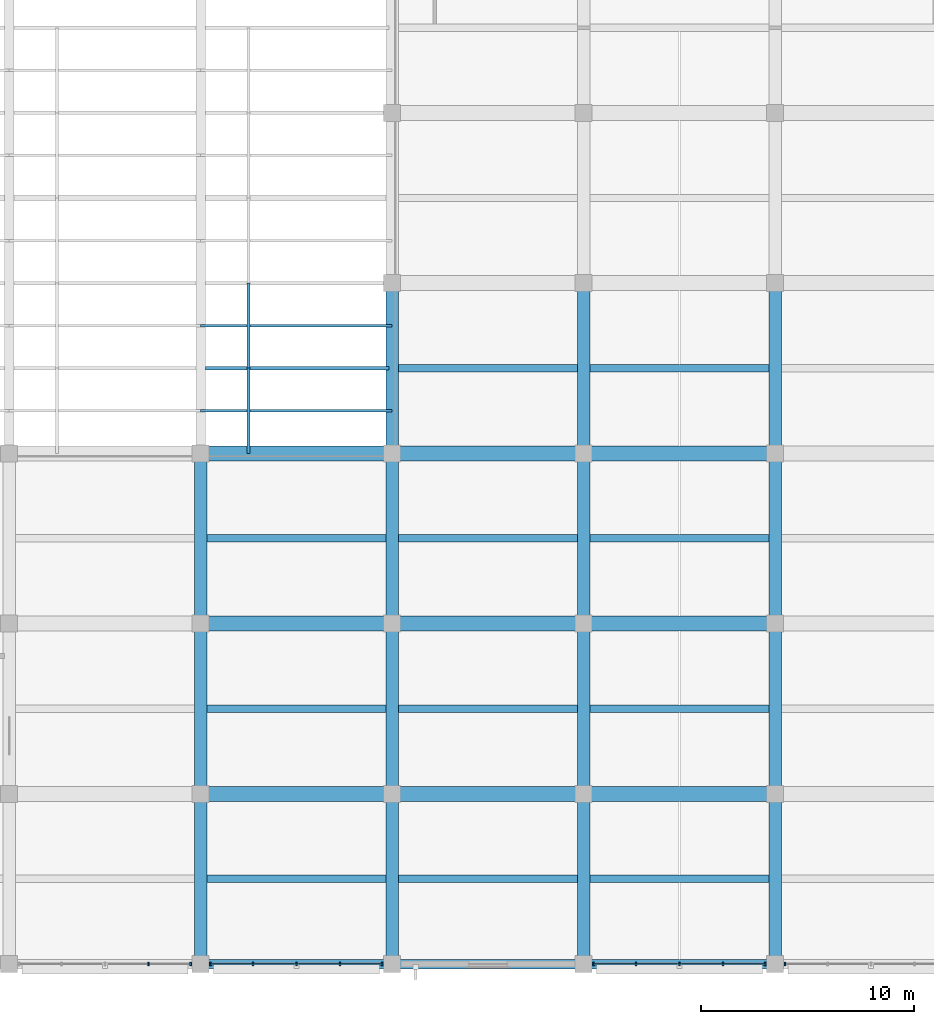
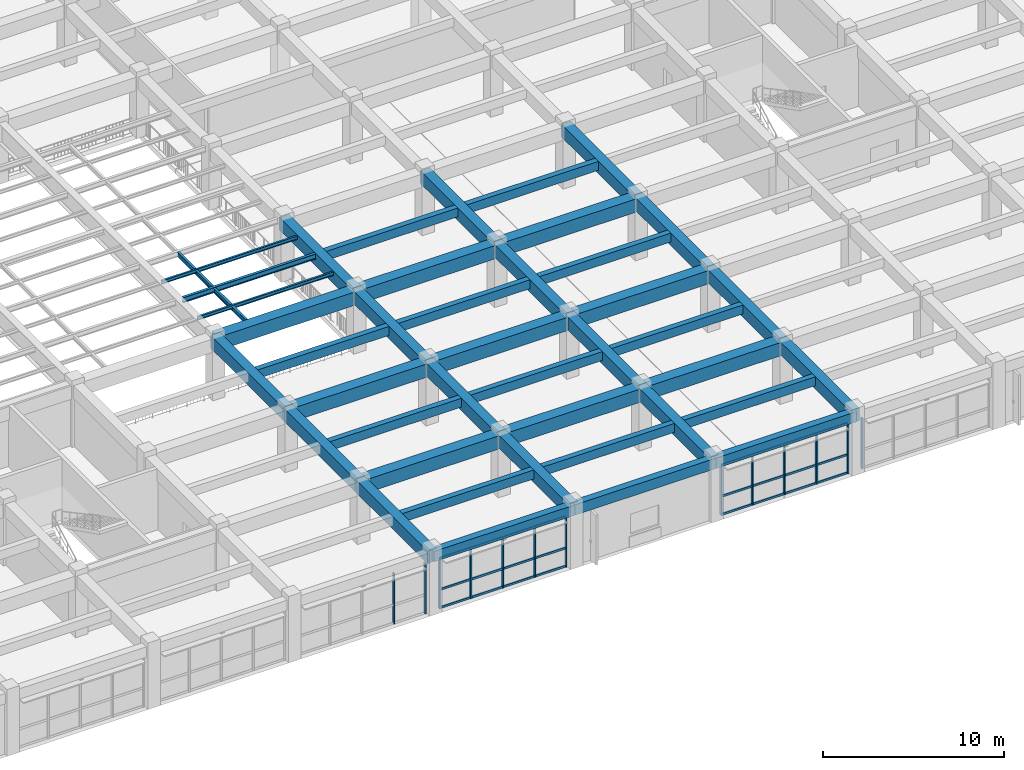
# One storey, part 11 of 50: 39 beams, 23 members, 4 elements without a shape of their own.
"""IFC4 building model written with IfcOpenShell, lengths in metres."""

from ifc_helpers import new_model, si_unit, direction, frame, origin, origin_2d, place, context, subcontext, project, spatial, rectangle, i_section, extrude, material, material_profile, profile_set, type_object, element, aggregate, save


model = new_model("IFC4")

# Units and contexts
model_context = context("Model", 3, precision=1e-05, world=origin(), true_north=direction((0.0, 1.0)))
body_context = subcontext(model_context, "Body", "Model", "MODEL_VIEW")
ifc_project = project(units=[si_unit("LENGTHUNIT", "METRE"), si_unit("AREAUNIT", "SQUARE_METRE"), si_unit("VOLUMEUNIT", "CUBIC_METRE"), si_unit("PLANEANGLEUNIT", "RADIAN"), si_unit("MASSUNIT", "GRAM", prefix="KILO")], contexts=[model_context])

# Site, building, storey
site_placement = place(None, origin())
site = spatial("IfcSite", under=ifc_project, at=site_placement, CompositionType="ELEMENT")
building_placement = place(site_placement, origin())
building = spatial("IfcBuilding", under=site, at=building_placement, Name="Zaverband Oceanarium and Marine Research Institute", CompositionType="ELEMENT")
storey_placement = place(building_placement, frame((0.0, 0.0, 9.0)))
storey = spatial("IfcBuildingStorey", under=building, at=storey_placement, Name="L02", CompositionType="ELEMENT", Elevation=9.0)

# Beams
ifc_material_1 = material(Name="Concrete C40/50", Category="concrete")
ifc_material_profile_1 = material_profile(ifc_material_1, rectangle(XDim=0.60009765625, YDim=0.85009765625, at=origin_2d()), Name="RC600x850")
ifc_profile_set_1 = profile_set([ifc_material_profile_1], Name="Concrete C40/50")
beam_type_1 = type_object("IfcBeamType", Name="BM-600x850", PredefinedType="BEAM", material=ifc_profile_set_1)
for number, where, z_axis, x_axis, name in (
    (1, (99.0, 0.0, 3.715087890625), (0.0, 1.0, 0.0), (-1.0, 0.0, 0.0), "Primary floor girder BM-600x850"),
    (2, (99.0, 8.0, 3.715087890625), (0.0, 1.0, 0.0), (-1.0, 0.0, 0.0), "Primary floor girder BM-600x850"),
    (3, (99.0, 16.0, 3.715087890625), (0.0, 1.0, 0.0), (-1.0, 0.0, 0.0), "Primary floor girder BM-600x850"),
    (4, (108.0, 0.0, 3.715087890625), (0.0, 1.0, 0.0), (-1.0, 0.0, 0.0), "Primary floor girder BM-600x850"),
    (5, (108.0, 8.0, 3.715087890625), (0.0, 1.0, 0.0), (-1.0, 0.0, 0.0), "Primary floor girder BM-600x850"),
    (6, (108.0, 16.0, 3.715087890625), (0.0, 1.0, 0.0), (-1.0, 0.0, 0.0), "Primary floor girder BM-600x850"),
    (7, (108.0, 24.0, 3.715087890625), (0.0, 1.0, 0.0), (-1.0, 0.0, 0.0), "Primary floor girder BM-600x850"),
    (8, (117.0, 0.0, 3.715087890625), (0.0, 1.0, 0.0), (-1.0, 0.0, 0.0), "Primary floor girder BM-600x850"),
    (9, (117.0, 8.0, 3.715087890625), (0.0, 1.0, 0.0), (-1.0, 0.0, 0.0), "Primary floor girder BM-600x850"),
    (10, (117.0, 16.0, 3.715087890625), (0.0, 1.0, 0.0), (-1.0, 0.0, 0.0), "Primary floor girder BM-600x850"),
    (11, (117.0, 24.0, 3.715087890625), (0.0, 1.0, 0.0), (-1.0, 0.0, 0.0), "Primary floor girder BM-600x850"),
    (12, (126.0, 0.0, 3.715087890625), (0.0, 1.0, 0.0), (-1.0, 0.0, 0.0), "Primary floor girder BM-600x850"),
    (13, (126.0, 8.0, 3.715087890625), (0.0, 1.0, 0.0), (-1.0, 0.0, 0.0), "Primary floor girder BM-600x850"),
    (14, (126.0, 16.0, 3.715087890625), (0.0, 1.0, 0.0), (-1.0, 0.0, 0.0), "Primary floor girder BM-600x850"),
    (15, (126.0, 24.0, 3.715087890625), (0.0, 1.0, 0.0), (-1.0, 0.0, 0.0), "Primary floor girder BM-600x850"),
):
    element("IfcBeam", number, at=place(storey_placement, frame(where, z_axis=z_axis, x_axis=x_axis)), inside=storey, type_object=beam_type_1, Name=name, PredefinedType="BEAM", context=body_context, shape_type="SweptSolid", body=[
        extrude(rectangle(XDim=0.60009765625, YDim=0.85009765625, at=origin_2d()), origin(), (0.0, 0.0, 1.0), 8.0),
    ])
ifc_material_profile_2 = material_profile(ifc_material_1, rectangle(XDim=0.699951171875, YDim=0.89990234375, at=origin_2d()), Name="RC700x900")
ifc_profile_set_2 = profile_set([ifc_material_profile_2], Name="Concrete C40/50")
beam_type_2 = type_object("IfcBeamType", Name="BM-700x900", PredefinedType="BEAM", material=ifc_profile_set_2)
for number, where, z_axis, x_axis, name in (
    (16, (99.0, 8.0, 3.68994140625), (1.0, 0.0, 0.0), (0.0, 1.0, 0.0), "Primary floor girder BM-700x900"),
    (17, (108.0, 8.0, 3.68994140625), (1.0, 0.0, 0.0), (0.0, 1.0, 0.0), "Primary floor girder BM-700x900"),
    (18, (117.0, 8.0, 3.68994140625), (1.0, 0.0, 0.0), (0.0, 1.0, 0.0), "Primary floor girder BM-700x900"),
    (19, (99.0, 16.0, 3.68994140625), (1.0, 0.0, 0.0), (0.0, 1.0, 0.0), "Primary floor girder BM-700x900"),
    (20, (108.0, 16.0, 3.68994140625), (1.0, 0.0, 0.0), (0.0, 1.0, 0.0), "Primary floor girder BM-700x900"),
    (21, (117.0, 16.0, 3.68994140625), (1.0, 0.0, 0.0), (0.0, 1.0, 0.0), "Primary floor girder BM-700x900"),
    (22, (99.0, 24.0, 3.68994140625), (1.0, 0.0, 0.0), (0.0, 1.0, 0.0), "Primary floor girder BM-700x900"),
    (23, (108.0, 24.0, 3.68994140625), (1.0, 0.0, 0.0), (0.0, 1.0, 0.0), "Primary floor girder BM-700x900"),
    (24, (117.0, 24.0, 3.68994140625), (1.0, 0.0, 0.0), (0.0, 1.0, 0.0), "Primary floor girder BM-700x900"),
):
    element("IfcBeam", number, at=place(storey_placement, frame(where, z_axis=z_axis, x_axis=x_axis)), inside=storey, type_object=beam_type_2, Name=name, PredefinedType="BEAM", context=body_context, shape_type="SweptSolid", body=[
        extrude(rectangle(XDim=0.699951171875, YDim=0.89990234375, at=origin_2d()), origin(), (0.0, 0.0, 1.0), 9.0),
    ])
ifc_material_profile_3 = material_profile(ifc_material_1, rectangle(XDim=0.35009765625, YDim=0.60009765625, at=origin_2d()), Name="RC350x600")
ifc_profile_set_3 = profile_set([ifc_material_profile_3], Name="Concrete C40/50")
beam_type_3 = type_object("IfcBeamType", Name="JST-350x600", PredefinedType="JOIST", material=ifc_profile_set_3)
for number, where, z_axis, x_axis, name in (
    (25, (99.300048828125, 4.0, 3.840087890625), (1.0, 0.0, 0.0), (0.0, 1.0, 0.0), "Secondary floor joist JST-350x600"),
    (26, (99.300048828125, 12.0, 3.840087890625), (1.0, 0.0, 0.0), (0.0, 1.0, 0.0), "Secondary floor joist JST-350x600"),
    (27, (99.300048828125, 20.0, 3.840087890625), (1.0, 0.0, 0.0), (0.0, 1.0, 0.0), "Secondary floor joist JST-350x600"),
    (28, (108.300048828125, 4.0, 3.840087890625), (1.0, 0.0, 0.0), (0.0, 1.0, 0.0), "Secondary floor joist JST-350x600"),
    (29, (108.300048828125, 12.0, 3.840087890625), (1.0, 0.0, 0.0), (0.0, 1.0, 0.0), "Secondary floor joist JST-350x600"),
    (30, (108.300048828125, 20.0, 3.840087890625), (1.0, 0.0, 0.0), (0.0, 1.0, 0.0), "Secondary floor joist JST-350x600"),
    (31, (108.300048828125, 28.0, 3.840087890625), (1.0, 0.0, 0.0), (0.0, 1.0, 0.0), "Secondary floor joist JST-350x600"),
    (32, (117.300048828125, 4.0, 3.840087890625), (1.0, 0.0, 0.0), (0.0, 1.0, 0.0), "Secondary floor joist JST-350x600"),
    (33, (117.300048828125, 12.0, 3.840087890625), (1.0, 0.0, 0.0), (0.0, 1.0, 0.0), "Secondary floor joist JST-350x600"),
    (34, (117.300048828125, 20.0, 3.840087890625), (1.0, 0.0, 0.0), (0.0, 1.0, 0.0), "Secondary floor joist JST-350x600"),
    (35, (117.300048828125, 28.0, 3.840087890625), (1.0, 0.0, 0.0), (0.0, 1.0, 0.0), "Secondary floor joist JST-350x600"),
):
    element("IfcBeam", number, at=place(storey_placement, frame(where, z_axis=z_axis, x_axis=x_axis)), inside=storey, type_object=beam_type_3, Name=name, PredefinedType="JOIST", context=body_context, shape_type="SweptSolid", body=[
        extrude(rectangle(XDim=0.35009765625, YDim=0.60009765625, at=origin_2d()), origin(), (0.0, 0.0, 1.0), 8.39990234375),
    ])

# Curtain wall, members
ifc_material_2 = material(Name="Thermally broken anodized aluminium and solar-control glass", Category="aluminium")
curtain_wall_type = type_object("IfcCurtainWallType", Name="CW-UNIT-1800", PredefinedType="NOTDEFINED", material=ifc_material_2)
curtain_wall_1_placement = place(storey_placement, origin())
curtain_wall_1 = element("IfcCurtainWall", 36, at=curtain_wall_1_placement, inside=storey, type_object=curtain_wall_type, Name="Unitised glazed curtain wall CW-042", PredefinedType="NOTDEFINED")
ifc_material_3 = material(Name="Thermally broken anodized aluminium", Category="aluminium")
ifc_material_profile_4 = material_profile(ifc_material_3, rectangle(XDim=0.080078125, YDim=0.179931640625, at=origin_2d()), Name="AL-MUL-80x180")
ifc_profile_set_4 = profile_set([ifc_material_profile_4], Name="Thermally broken anodized aluminium")
member_type_1 = type_object("IfcMemberType", Name="MUL-80x180", PredefinedType="MULLION", material=ifc_profile_set_4)
member_1_placement = place(storey_placement, frame((96.547607421875, 0.0, 0.0), z_axis=(0.0, 0.0, 1.0), x_axis=(1.0, 0.0, 0.0)))
member_1 = element("IfcMember", 37, at=member_1_placement, type_object=member_type_1, Name="Curtain wall vertical mullion MUL-80x180", PredefinedType="MULLION", context=body_context, shape_type="SweptSolid", body=[
    extrude(rectangle(XDim=0.080078125, YDim=0.179931640625, at=origin_2d()), origin(), (0.0, 0.0, 1.0), 3.419921875),
])
member_2_placement = place(storey_placement, frame((98.534912109375, 0.0, 0.0), z_axis=(0.0, 0.0, 1.0), x_axis=(1.0, 0.0, 0.0)))
member_2 = element("IfcMember", 38, at=member_2_placement, type_object=member_type_1, Name="Curtain wall vertical mullion MUL-80x180", PredefinedType="MULLION", context=body_context, shape_type="SweptSolid", body=[
    extrude(rectangle(XDim=0.080078125, YDim=0.179931640625, at=origin_2d()), origin(), (0.0, 0.0, 1.0), 3.419921875),
])
aggregate(curtain_wall_1, [member_1, member_2])

curtain_wall_2_placement = place(storey_placement, origin())
curtain_wall_2 = element("IfcCurtainWall", 39, at=curtain_wall_2_placement, inside=storey, type_object=curtain_wall_type, Name="Unitised glazed curtain wall CW-043", PredefinedType="NOTDEFINED")
member_3_placement = place(storey_placement, frame((99.465087890625, 0.0, 0.0), z_axis=(0.0, 0.0, 1.0), x_axis=(1.0, 0.0, 0.0)))
member_3 = element("IfcMember", 40, at=member_3_placement, type_object=member_type_1, Name="Curtain wall vertical mullion MUL-80x180", PredefinedType="MULLION", context=body_context, shape_type="SweptSolid", body=[
    extrude(rectangle(XDim=0.080078125, YDim=0.179931640625, at=origin_2d()), origin(), (0.0, 0.0, 1.0), 3.419921875),
])
member_4_placement = place(storey_placement, frame((101.452392578125, 0.0, 0.0), z_axis=(0.0, 0.0, 1.0), x_axis=(1.0, 0.0, 0.0)))
member_4 = element("IfcMember", 41, at=member_4_placement, type_object=member_type_1, Name="Curtain wall vertical mullion MUL-80x180", PredefinedType="MULLION", context=body_context, shape_type="SweptSolid", body=[
    extrude(rectangle(XDim=0.080078125, YDim=0.179931640625, at=origin_2d()), origin(), (0.0, 0.0, 1.0), 3.419921875),
])
member_5_placement = place(storey_placement, frame((103.5, 0.0, 0.0), z_axis=(0.0, 0.0, 1.0), x_axis=(1.0, 0.0, 0.0)))
member_5 = element("IfcMember", 42, at=member_5_placement, type_object=member_type_1, Name="Curtain wall vertical mullion MUL-80x180", PredefinedType="MULLION", context=body_context, shape_type="SweptSolid", body=[
    extrude(rectangle(XDim=0.080078125, YDim=0.179931640625, at=origin_2d()), origin(), (0.0, 0.0, 1.0), 3.419921875),
])
member_6_placement = place(storey_placement, frame((105.547607421875, 0.0, 0.0), z_axis=(0.0, 0.0, 1.0), x_axis=(1.0, 0.0, 0.0)))
member_6 = element("IfcMember", 43, at=member_6_placement, type_object=member_type_1, Name="Curtain wall vertical mullion MUL-80x180", PredefinedType="MULLION", context=body_context, shape_type="SweptSolid", body=[
    extrude(rectangle(XDim=0.080078125, YDim=0.179931640625, at=origin_2d()), origin(), (0.0, 0.0, 1.0), 3.419921875),
])
member_7_placement = place(storey_placement, frame((107.534912109375, 0.0, 0.0), z_axis=(0.0, 0.0, 1.0), x_axis=(1.0, 0.0, 0.0)))
member_7 = element("IfcMember", 44, at=member_7_placement, type_object=member_type_1, Name="Curtain wall vertical mullion MUL-80x180", PredefinedType="MULLION", context=body_context, shape_type="SweptSolid", body=[
    extrude(rectangle(XDim=0.080078125, YDim=0.179931640625, at=origin_2d()), origin(), (0.0, 0.0, 1.0), 3.419921875),
])

curtain_wall_3_placement = place(storey_placement, origin())
curtain_wall_3 = element("IfcCurtainWall", 45, at=curtain_wall_3_placement, inside=storey, type_object=curtain_wall_type, Name="Unitised glazed curtain wall CW-044", PredefinedType="NOTDEFINED")
member_8_placement = place(storey_placement, frame((117.465087890625, 0.0, 0.0), z_axis=(0.0, 0.0, 1.0), x_axis=(1.0, 0.0, 0.0)))
member_8 = element("IfcMember", 46, at=member_8_placement, type_object=member_type_1, Name="Curtain wall vertical mullion MUL-80x180", PredefinedType="MULLION", context=body_context, shape_type="SweptSolid", body=[
    extrude(rectangle(XDim=0.080078125, YDim=0.179931640625, at=origin_2d()), origin(), (0.0, 0.0, 1.0), 3.419921875),
])
member_9_placement = place(storey_placement, frame((119.452392578125, 0.0, 0.0), z_axis=(0.0, 0.0, 1.0), x_axis=(1.0, 0.0, 0.0)))
member_9 = element("IfcMember", 47, at=member_9_placement, type_object=member_type_1, Name="Curtain wall vertical mullion MUL-80x180", PredefinedType="MULLION", context=body_context, shape_type="SweptSolid", body=[
    extrude(rectangle(XDim=0.080078125, YDim=0.179931640625, at=origin_2d()), origin(), (0.0, 0.0, 1.0), 3.419921875),
])
member_10_placement = place(storey_placement, frame((121.5, 0.0, 0.0), z_axis=(0.0, 0.0, 1.0), x_axis=(1.0, 0.0, 0.0)))
member_10 = element("IfcMember", 48, at=member_10_placement, type_object=member_type_1, Name="Curtain wall vertical mullion MUL-80x180", PredefinedType="MULLION", context=body_context, shape_type="SweptSolid", body=[
    extrude(rectangle(XDim=0.080078125, YDim=0.179931640625, at=origin_2d()), origin(), (0.0, 0.0, 1.0), 3.419921875),
])
member_11_placement = place(storey_placement, frame((123.547607421875, 0.0, 0.0), z_axis=(0.0, 0.0, 1.0), x_axis=(1.0, 0.0, 0.0)))
member_11 = element("IfcMember", 49, at=member_11_placement, type_object=member_type_1, Name="Curtain wall vertical mullion MUL-80x180", PredefinedType="MULLION", context=body_context, shape_type="SweptSolid", body=[
    extrude(rectangle(XDim=0.080078125, YDim=0.179931640625, at=origin_2d()), origin(), (0.0, 0.0, 1.0), 3.419921875),
])
member_12_placement = place(storey_placement, frame((125.534912109375, 0.0, 0.0), z_axis=(0.0, 0.0, 1.0), x_axis=(1.0, 0.0, 0.0)))
member_12 = element("IfcMember", 50, at=member_12_placement, type_object=member_type_1, Name="Curtain wall vertical mullion MUL-80x180", PredefinedType="MULLION", context=body_context, shape_type="SweptSolid", body=[
    extrude(rectangle(XDim=0.080078125, YDim=0.179931640625, at=origin_2d()), origin(), (0.0, 0.0, 1.0), 3.419921875),
])

# Curtain wall, member
curtain_wall_4_placement = place(storey_placement, origin())
curtain_wall_4 = element("IfcCurtainWall", 51, at=curtain_wall_4_placement, inside=storey, type_object=curtain_wall_type, Name="Unitised glazed curtain wall CW-045", PredefinedType="NOTDEFINED")
member_13_placement = place(storey_placement, frame((126.465087890625, 0.0, 0.0), z_axis=(0.0, 0.0, 1.0), x_axis=(1.0, 0.0, 0.0)))
member_13 = element("IfcMember", 52, at=member_13_placement, type_object=member_type_1, Name="Curtain wall vertical mullion MUL-80x180", PredefinedType="MULLION", context=body_context, shape_type="SweptSolid", body=[
    extrude(rectangle(XDim=0.080078125, YDim=0.179931640625, at=origin_2d()), origin(), (0.0, 0.0, 1.0), 3.419921875),
])
aggregate(curtain_wall_4, [member_13])

# Members
ifc_material_4 = material(Name="Steel S355", Category="steel")
ifc_material_profile_5 = material_profile(ifc_material_4, i_section(OverallWidth=0.1201171875, OverallDepth=0.239990234375, WebThickness=0.006103515625, FlangeThickness=0.009765625, FilletRadius=0.014892578125, at=origin_2d()), Name="IPE240")
ifc_profile_set_5 = profile_set([ifc_material_profile_5], Name="Steel S355")
member_type_2 = type_object("IfcMemberType", Name="PUR-IPE240", PredefinedType="PURLIN", material=ifc_profile_set_5)
for number, where, z_axis, x_axis, name in (
    (53, (99.0, 26.0, 4.0), (1.0, 0.0, 0.0), (0.0, 1.0, 0.0), "Screen / canopy purlin PUR-IPE240"),
    (54, (99.0, 30.0, 4.0), (1.0, 0.0, 0.0), (0.0, 1.0, 0.0), "Screen / canopy purlin PUR-IPE240"),
):
    element("IfcMember", number, at=place(storey_placement, frame(where, z_axis=z_axis, x_axis=x_axis)), inside=storey, type_object=member_type_2, Name=name, PredefinedType="PURLIN", context=body_context, shape_type="SweptSolid", body=[
        extrude(i_section(OverallWidth=0.1201171875, OverallDepth=0.239990234375, WebThickness=0.006103515625, FlangeThickness=0.009765625, FilletRadius=0.014892578125, at=origin_2d()), origin(), (0.0, 0.0, 1.0), 9.0),
    ])
ifc_material_profile_6 = material_profile(ifc_material_4, i_section(OverallWidth=0.14990234375, OverallDepth=0.300048828125, WebThickness=0.007080078125, FlangeThickness=0.0107421875, FilletRadius=0.014892578125, at=origin_2d()), Name="IPE300")
ifc_profile_set_6 = profile_set([ifc_material_profile_6], Name="Steel S355")
member_type_3 = type_object("IfcMemberType", Name="RAF-IPE300", PredefinedType="RAFTER", material=ifc_profile_set_6)
for number, where, z_axis, x_axis, name in (
    (55, (101.25, 24.0, 3.919921875), (0.0, 1.0, 0.0), (-1.0, 0.0, 0.0), "Canopy / skylight rafter RAF-IPE300"),
    (56, (101.25, 28.0, 3.919921875), (0.0, 1.0, 0.0), (-1.0, 0.0, 0.0), "Canopy / skylight rafter RAF-IPE300"),
):
    element("IfcMember", number, at=place(storey_placement, frame(where, z_axis=z_axis, x_axis=x_axis)), inside=storey, type_object=member_type_3, Name=name, PredefinedType="RAFTER", context=body_context, shape_type="SweptSolid", body=[
        extrude(i_section(OverallWidth=0.14990234375, OverallDepth=0.300048828125, WebThickness=0.007080078125, FlangeThickness=0.0107421875, FilletRadius=0.014892578125, at=origin_2d()), origin(), (0.0, 0.0, 1.0), 4.0),
    ])

# Beams
ifc_material_profile_7 = material_profile(ifc_material_4, i_section(OverallWidth=0.169921875, OverallDepth=0.360107421875, WebThickness=0.008056640625, FlangeThickness=0.0126953125, FilletRadius=0.01806640625, at=origin_2d()), Name="IPE360")
ifc_profile_set_7 = profile_set([ifc_material_profile_7], Name="Steel S355")
beam_type_4 = type_object("IfcBeamType", Name="SB-IPE360", PredefinedType="JOIST", material=ifc_profile_set_7)
beam_placement = place(storey_placement, frame((99.22509765625, 28.0, 3.9599609375), z_axis=(1.0, 0.0, 0.0), x_axis=(0.0, 1.0, 0.0)))
element("IfcBeam", 57, at=beam_placement, inside=storey, type_object=beam_type_4, Name="Atrium secondary steel joist SB-IPE360", PredefinedType="JOIST", context=body_context, shape_type="SweptSolid", body=[
    extrude(i_section(OverallWidth=0.169921875, OverallDepth=0.360107421875, WebThickness=0.008056640625, FlangeThickness=0.0126953125, FilletRadius=0.01806640625, at=origin_2d()), origin(), (0.0, 0.0, 1.0), 8.625),
])
ifc_material_profile_8 = material_profile(ifc_material_1, rectangle(XDim=0.449951171875, YDim=0.699951171875, at=origin_2d()), Name="RC450x700")
ifc_profile_set_8 = profile_set([ifc_material_profile_8], Name="Concrete C40/50")
beam_type_5 = type_object("IfcBeamType", Name="SPN-450x700", PredefinedType="SPANDREL", material=ifc_profile_set_8)
for number, where, z_axis, x_axis, name in (
    (58, (99.0, 0.0, 3.7900390625), (1.0, 0.0, 0.0), (0.0, 1.0, 0.0), "Perimeter spandrel beam SPN-450x700"),
    (59, (108.0, 0.0, 3.7900390625), (1.0, 0.0, 0.0), (0.0, 1.0, 0.0), "Perimeter spandrel beam SPN-450x700"),
    (60, (117.0, 0.0, 3.7900390625), (1.0, 0.0, 0.0), (0.0, 1.0, 0.0), "Perimeter spandrel beam SPN-450x700"),
):
    element("IfcBeam", number, at=place(storey_placement, frame(where, z_axis=z_axis, x_axis=x_axis)), inside=storey, type_object=beam_type_5, Name=name, PredefinedType="SPANDREL", context=body_context, shape_type="SweptSolid", body=[
        extrude(rectangle(XDim=0.449951171875, YDim=0.699951171875, at=origin_2d()), origin(), (0.0, 0.0, 1.0), 9.0),
    ])

# Member
ifc_material_profile_9 = material_profile(ifc_material_3, rectangle(XDim=0.080078125, YDim=0.139892578125, at=origin_2d()), Name="AL-TRN-80x140")
ifc_profile_set_9 = profile_set([ifc_material_profile_9], Name="Thermally broken anodized aluminium")
member_type_4 = type_object("IfcMemberType", Name="TRN-80x140", PredefinedType="USERDEFINED", material=ifc_profile_set_9)
member_14_placement = place(storey_placement, frame((99.465087890625, 0.0, 0.050048828125), z_axis=(1.0, 0.0, 0.0), x_axis=(0.0, 1.0, 0.0)))
member_14 = element("IfcMember", 61, at=member_14_placement, type_object=member_type_4, Name="Curtain wall horizontal transom TRN-80x140", ObjectType="TRANSOM", PredefinedType="USERDEFINED", context=body_context, shape_type="SweptSolid", body=[
    extrude(rectangle(XDim=0.080078125, YDim=0.139892578125, at=origin_2d()), origin(), (0.0, 0.0, 1.0), 8.06982421875),
])

member_15_placement = place(storey_placement, frame((99.465087890625, 0.0, 1.277099609375), z_axis=(1.0, 0.0, 0.0), x_axis=(0.0, 1.0, 0.0)))
member_15 = element("IfcMember", 62, at=member_15_placement, type_object=member_type_4, Name="Curtain wall horizontal transom TRN-80x140", ObjectType="TRANSOM", PredefinedType="USERDEFINED", context=body_context, shape_type="SweptSolid", body=[
    extrude(rectangle(XDim=0.080078125, YDim=0.139892578125, at=origin_2d()), origin(), (0.0, 0.0, 1.0), 8.06982421875),
])

member_16_placement = place(storey_placement, frame((99.465087890625, 0.0, 3.3701171875), z_axis=(1.0, 0.0, 0.0), x_axis=(0.0, 1.0, 0.0)))
member_16 = element("IfcMember", 63, at=member_16_placement, type_object=member_type_4, Name="Curtain wall horizontal transom TRN-80x140", ObjectType="TRANSOM", PredefinedType="USERDEFINED", context=body_context, shape_type="SweptSolid", body=[
    extrude(rectangle(XDim=0.080078125, YDim=0.139892578125, at=origin_2d()), origin(), (0.0, 0.0, 1.0), 8.06982421875),
])

aggregate(curtain_wall_2, [member_3, member_4, member_5, member_6, member_7, member_14, member_15, member_16])

member_17_placement = place(storey_placement, frame((117.465087890625, 0.0, 0.050048828125), z_axis=(1.0, 0.0, 0.0), x_axis=(0.0, 1.0, 0.0)))
member_17 = element("IfcMember", 64, at=member_17_placement, type_object=member_type_4, Name="Curtain wall horizontal transom TRN-80x140", ObjectType="TRANSOM", PredefinedType="USERDEFINED", context=body_context, shape_type="SweptSolid", body=[
    extrude(rectangle(XDim=0.080078125, YDim=0.139892578125, at=origin_2d()), origin(), (0.0, 0.0, 1.0), 8.06982421875),
])

member_18_placement = place(storey_placement, frame((117.465087890625, 0.0, 1.277099609375), z_axis=(1.0, 0.0, 0.0), x_axis=(0.0, 1.0, 0.0)))
member_18 = element("IfcMember", 65, at=member_18_placement, type_object=member_type_4, Name="Curtain wall horizontal transom TRN-80x140", ObjectType="TRANSOM", PredefinedType="USERDEFINED", context=body_context, shape_type="SweptSolid", body=[
    extrude(rectangle(XDim=0.080078125, YDim=0.139892578125, at=origin_2d()), origin(), (0.0, 0.0, 1.0), 8.06982421875),
])

member_19_placement = place(storey_placement, frame((117.465087890625, 0.0, 3.3701171875), z_axis=(1.0, 0.0, 0.0), x_axis=(0.0, 1.0, 0.0)))
member_19 = element("IfcMember", 66, at=member_19_placement, type_object=member_type_4, Name="Curtain wall horizontal transom TRN-80x140", ObjectType="TRANSOM", PredefinedType="USERDEFINED", context=body_context, shape_type="SweptSolid", body=[
    extrude(rectangle(XDim=0.080078125, YDim=0.139892578125, at=origin_2d()), origin(), (0.0, 0.0, 1.0), 8.06982421875),
])

aggregate(curtain_wall_3, [member_8, member_9, member_10, member_11, member_12, member_17, member_18, member_19])

save(model, "model.ifc")
